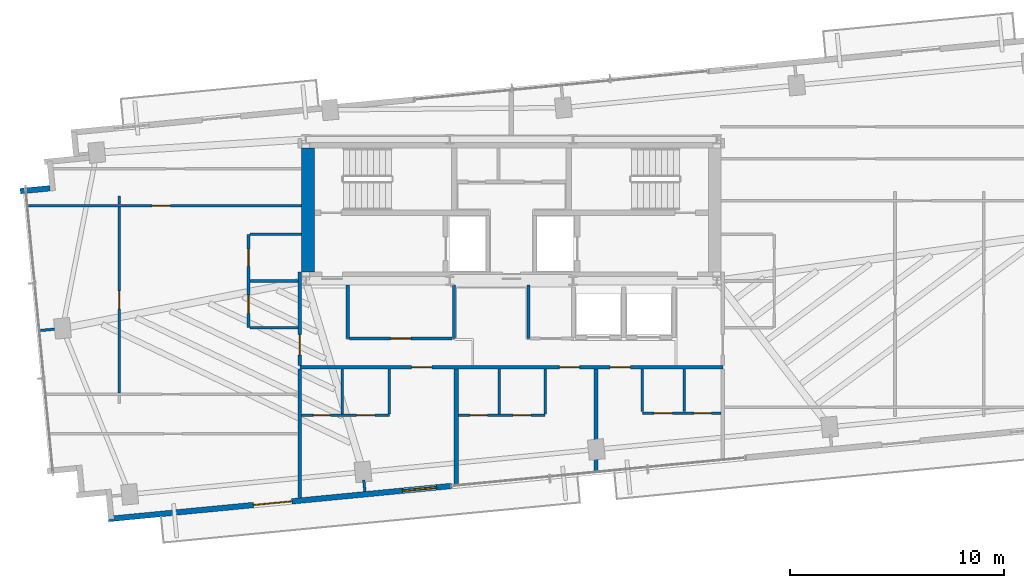
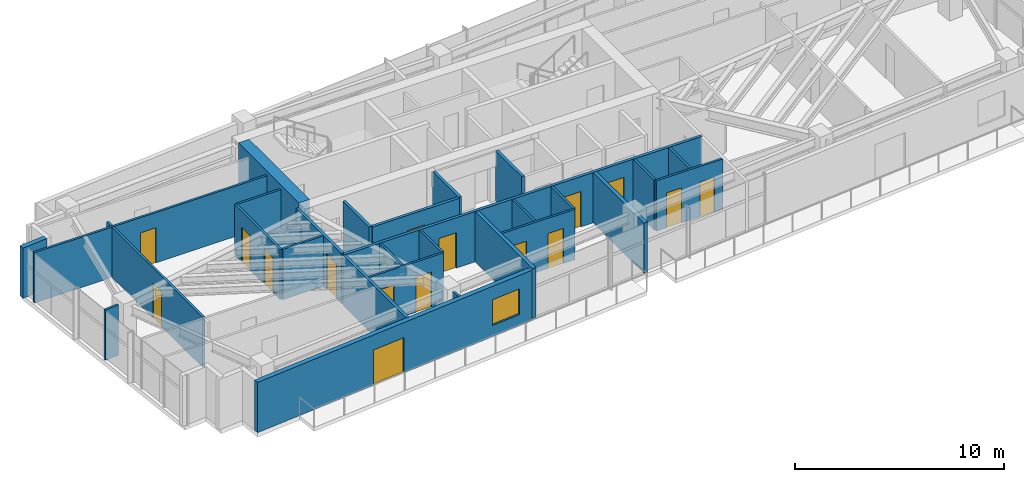
# One storey, part 13 of 18: 30 walls, 16 doors, 1 window, 17 openings.
"""IFC4 building model written with IfcOpenShell, lengths in metres."""

from ifc_helpers import new_model, si_unit, direction, frame, frame_2d, origin, place, context, subcontext, project, spatial, rectangle, extrude, source, transform, mapped, material, layer, layer_set, type_object, type_shapes, element, fill, save


model = new_model("IFC4")

# Units and contexts
model_context = context("Model", 3, precision=1e-05, world=origin(), true_north=direction((0.0, 1.0)))
body_context = subcontext(model_context, "Body", "Model", "MODEL_VIEW")
ifc_project = project(units=[si_unit("LENGTHUNIT", "METRE"), si_unit("AREAUNIT", "SQUARE_METRE"), si_unit("VOLUMEUNIT", "CUBIC_METRE"), si_unit("PLANEANGLEUNIT", "RADIAN"), si_unit("MASSUNIT", "GRAM", prefix="KILO")], contexts=[model_context])

# Site, building, storey
site_placement = place(None, origin())
site = spatial("IfcSite", under=ifc_project, at=site_placement, CompositionType="ELEMENT")
building_placement = place(site_placement, origin())
building = spatial("IfcBuilding", under=site, at=building_placement, Name="Astriad Promenade Condominiums", CompositionType="ELEMENT")
storey_placement = place(building_placement, frame((0.0, 0.0, 195.39990234375)))
storey = spatial("IfcBuildingStorey", under=building, at=storey_placement, Name="L56", CompositionType="ELEMENT", Elevation=195.39990234375)

# Wall
ifc_material_1 = material(Name="Concrete C50/60", Category="concrete")
ifc_layer_1 = layer(ifc_material_1, 0.60009765625)
ifc_layer_set_1 = layer_set([ifc_layer_1], Name="Concrete C50/60")
wall_type_1 = type_object("IfcWallType", Name="CW-SHEAR-600", PredefinedType="SHEAR", material=ifc_layer_set_1)
wall_1_placement = place(storey_placement, frame((26.5, 17.802001953125, 0.0), z_axis=(0.0, 0.0, 1.0), x_axis=(0.0, 1.0, 0.0)))
element("IfcWall", 1, at=wall_1_placement, inside=storey, type_object=wall_type_1, Name="CW-CORE-W-L56", PredefinedType="SHEAR", context=body_context, shape_type="SweptSolid", body=[
    extrude(rectangle(XDim=5.7958984375, YDim=0.60009765625, at=frame_2d((2.89794921875, 0.0))), origin(), (0.0, 0.0, 1.0), 3.2001953125),
])

# Wall, openings, doors
ifc_material_2 = material(Name="Fire-Rated Gypsum Partition")
ifc_layer_2 = layer(ifc_material_2, 0.159912109375)
ifc_layer_set_2 = layer_set([ifc_layer_2], Name="Fire-Rated Gypsum Partition")
wall_type_2 = type_object("IfcWallType", Name="WALL-CORR-160", PredefinedType="PARTITIONING", material=ifc_layer_set_2)
wall_2_placement = place(storey_placement, frame((26.1201171875, 13.360107421875, 0.0), z_axis=(0.0, 0.0, 1.0), x_axis=(1.0, 0.0, 0.0)))
wall_2 = element("IfcWall", 2, at=wall_2_placement, inside=storey, type_object=wall_type_2, Name="PT-COR-S-L56", PredefinedType="PARTITIONING", context=body_context, shape_type="SweptSolid", body=[
    extrude(rectangle(XDim=19.759765625, YDim=0.159912109375, at=frame_2d((9.8798828125, 0.0))), origin(), (0.0, 0.0, 1.0), 2.940185546875),
])
opening_1_placement = place(wall_2_placement, frame((5.220947265625, 0.0, 0.0)))
opening_1 = element("IfcOpeningElement", 3, at=opening_1_placement, cuts=wall_2, Name="Opening FD60-APT-095", PredefinedType="OPENING", context=body_context, shape_type="SweptSolid", body=[
    extrude(rectangle(XDim=0.949951171875, YDim=2.06005859375, at=frame_2d((0.47509765625, 1.030029296875))), frame((0.0, 0.08984375, 0.0), z_axis=(0.0, -1.0, 0.0), x_axis=(1.0, 0.0, 0.0)), (0.0, 0.0, 1.0), 0.179931640625),
])
opening_2_placement = place(wall_2_placement, frame((12.118896484375, 0.0, 0.0)))
opening_2 = element("IfcOpeningElement", 4, at=opening_2_placement, cuts=wall_2, Name="Opening FD60-APT-095", PredefinedType="OPENING", context=body_context, shape_type="SweptSolid", body=[
    extrude(rectangle(XDim=0.949951171875, YDim=2.06005859375, at=frame_2d((0.47509765625, 1.030029296875))), frame((0.0, 0.08984375, 0.0), z_axis=(0.0, -1.0, 0.0), x_axis=(1.0, 0.0, 0.0)), (0.0, 0.0, 1.0), 0.179931640625),
])
opening_3_placement = place(wall_2_placement, frame((14.491943359375, 0.0, 0.0)))
opening_3 = element("IfcOpeningElement", 5, at=opening_3_placement, cuts=wall_2, Name="Opening FD60-APT-095", PredefinedType="OPENING", context=body_context, shape_type="SweptSolid", body=[
    extrude(rectangle(XDim=0.949951171875, YDim=2.06005859375, at=frame_2d((0.47509765625, 1.030029296875))), frame((0.0, 0.08984375, 0.0), z_axis=(0.0, -1.0, 0.0), x_axis=(1.0, 0.0, 0.0)), (0.0, 0.0, 1.0), 0.179931640625),
])
ifc_material_3 = material(Name="Solid-Core Acoustic Timber Residence Entry Door", Category="wood")
door_type_1 = type_object("IfcDoorType", Name="FD60-APT-095", OperationType="NOTDEFINED", PredefinedType="DOOR", material=ifc_material_3)
shared_shape_1 = source(origin(), body_context, "Body", "SweptSolid", [
    extrude(rectangle(XDim=0.949951171875, YDim=2.06005859375, at=frame_2d((0.47509765625, 1.030029296875))), frame((0.0, 0.02490234375, 0.0), z_axis=(0.0, -1.0, 0.0), x_axis=(1.0, 0.0, 0.0)), (0.0, 0.0, 1.0), 0.050048828125),
])
type_shapes(door_type_1, [shared_shape_1])
door_1_placement = place(opening_1_placement, origin())
door_1 = element("IfcDoor", 6, at=door_1_placement, inside=storey, type_object=door_type_1, Name="D-ENT-L56-S1", OperationType="SINGLE_SWING_LEFT", OverallHeight=2.06005859375, OverallWidth=0.949951171875, PredefinedType="DOOR", context=body_context, shape_type="MappedRepresentation", body=[
    mapped(shared_shape_1, transform((0.0, 0.0, 0.0), scale=1.0)),
])
fill(opening_1, door_1)
door_2_placement = place(opening_2_placement, origin())
door_2 = element("IfcDoor", 7, at=door_2_placement, inside=storey, type_object=door_type_1, Name="D-ENT-L56-S2", OperationType="SINGLE_SWING_RIGHT", OverallHeight=2.06005859375, OverallWidth=0.949951171875, PredefinedType="DOOR", context=body_context, shape_type="MappedRepresentation", body=[
    mapped(shared_shape_1, transform((0.0, 0.0, 0.0), scale=1.0)),
])
fill(opening_2, door_2)
door_3_placement = place(opening_3_placement, origin())
door_3 = element("IfcDoor", 8, at=door_3_placement, inside=storey, type_object=door_type_1, Name="D-ENT-L56-S3", OperationType="SINGLE_SWING_LEFT", OverallHeight=2.06005859375, OverallWidth=0.949951171875, PredefinedType="DOOR", context=body_context, shape_type="MappedRepresentation", body=[
    mapped(shared_shape_1, transform((0.0, 0.0, 0.0), scale=1.0)),
])
fill(opening_3, door_3)

# Wall
wall_3_placement = place(storey_placement, frame((26.1201171875, 7.26123046875, 0.0), z_axis=(0.0, 0.0, 1.0), x_axis=(0.0, 1.0, 0.0)))
element("IfcWall", 9, at=wall_3_placement, inside=storey, type_object=wall_type_2, Name="PT-COR-W-L56", PredefinedType="PARTITIONING", context=body_context, shape_type="SweptSolid", body=[
    extrude(rectangle(XDim=6.016845703125, YDim=0.159912109375, at=frame_2d((3.00830078125, 0.0))), origin(), (0.0, 0.0, 1.0), 2.940185546875),
])

# Wall, opening, door
wall_4_placement = place(storey_placement, frame((26.1201171875, 13.44189453125, 0.0), z_axis=(0.0, 0.0, 1.0), x_axis=(0.0, 1.0, 0.0)))
wall_4 = element("IfcWall", 10, at=wall_4_placement, inside=storey, type_object=wall_type_2, Name="PT-COR-W-L56-S2", PredefinedType="PARTITIONING", context=body_context, shape_type="SweptSolid", body=[
    extrude(rectangle(XDim=4.360107421875, YDim=0.159912109375, at=frame_2d((2.18017578125, 0.0))), origin(), (0.0, 0.0, 1.0), 2.940185546875),
])
opening_4_placement = place(wall_4_placement, frame((0.492919921875, 0.0, 0.0)))
opening_4 = element("IfcOpeningElement", 11, at=opening_4_placement, cuts=wall_4, Name="Opening FD60-APT-095", PredefinedType="OPENING", context=body_context, shape_type="SweptSolid", body=[
    extrude(rectangle(XDim=0.949951171875, YDim=2.06005859375, at=frame_2d((0.47509765625, 1.030029296875))), frame((0.0, 0.08984375, 0.0), z_axis=(0.0, -1.0, 0.0), x_axis=(1.0, 0.0, 0.0)), (0.0, 0.0, 1.0), 0.179931640625),
])
door_4_placement = place(opening_4_placement, origin())
door_4 = element("IfcDoor", 12, at=door_4_placement, inside=storey, type_object=door_type_1, Name="D-ENT-L56-W1", OperationType="SINGLE_SWING_RIGHT", OverallHeight=2.06005859375, OverallWidth=0.949951171875, PredefinedType="DOOR", context=body_context, shape_type="MappedRepresentation", body=[
    mapped(shared_shape_1, transform((0.0, 0.0, 0.0), scale=1.0)),
])
fill(opening_4, door_4)

# Walls
for number, where, z_axis, x_axis, name in (
    (13, (28.360107421875, 14.699951171875, 0.0), (0.0, 0.0, 1.0), (0.0, 1.0, 0.0), "PT-Z3REC-W-L56"),
    (14, (33.320068359375, 14.699951171875, 0.0), (0.0, 0.0, 1.0), (0.0, 1.0, 0.0), "PT-Z3REC-E-L56"),
):
    element("IfcWall", number, at=place(storey_placement, frame(where, z_axis=z_axis, x_axis=x_axis)), inside=storey, type_object=wall_type_2, Name=name, PredefinedType="PARTITIONING", context=body_context, shape_type="SweptSolid", body=[
        extrude(rectangle(XDim=2.498046875, YDim=0.159912109375, at=frame_2d((1.2490234375, 0.0))), origin(), (0.0, 0.0, 1.0), 2.940185546875),
    ])

# Wall, opening, door
wall_5_placement = place(storey_placement, frame((28.44189453125, 14.699951171875, 0.0), z_axis=(0.0, 0.0, 1.0), x_axis=(1.0, 0.0, 0.0)))
wall_5 = element("IfcWall", 15, at=wall_5_placement, inside=storey, type_object=wall_type_2, Name="PT-Z3REC-S-L56", PredefinedType="PARTITIONING", context=body_context, shape_type="SweptSolid", body=[
    extrude(rectangle(XDim=4.796142578125, YDim=0.159912109375, at=frame_2d((2.39794921875, 0.0))), origin(), (0.0, 0.0, 1.0), 2.940185546875),
])
opening_5_placement = place(wall_5_placement, frame((1.923095703125, 0.0, 0.0)))
opening_5 = element("IfcOpeningElement", 16, at=opening_5_placement, cuts=wall_5, Name="Opening FD60-APT-095", PredefinedType="OPENING", context=body_context, shape_type="SweptSolid", body=[
    extrude(rectangle(XDim=0.949951171875, YDim=2.06005859375, at=frame_2d((0.47509765625, 1.030029296875))), frame((0.0, 0.08984375, 0.0), z_axis=(0.0, -1.0, 0.0), x_axis=(1.0, 0.0, 0.0)), (0.0, 0.0, 1.0), 0.179931640625),
])
door_5_placement = place(opening_5_placement, origin())
door_5 = element("IfcDoor", 17, at=door_5_placement, inside=storey, type_object=door_type_1, Name="D-Z3R-L56", OperationType="SINGLE_SWING_LEFT", OverallHeight=2.06005859375, OverallWidth=0.949951171875, PredefinedType="DOOR", context=body_context, shape_type="MappedRepresentation", body=[
    mapped(shared_shape_1, transform((0.0, 0.0, 0.0), scale=1.0)),
])
fill(opening_5, door_5)

# Walls
wall_6_placement = place(storey_placement, frame((36.800048828125, 14.699951171875, 0.0), z_axis=(0.0, 0.0, 1.0), x_axis=(0.0, 1.0, 0.0)))
element("IfcWall", 18, at=wall_6_placement, inside=storey, type_object=wall_type_2, Name="PT-Z3R2-W-L56", PredefinedType="PARTITIONING", context=body_context, shape_type="SweptSolid", body=[
    extrude(rectangle(XDim=2.498046875, YDim=0.159912109375, at=frame_2d((1.2490234375, 0.0))), origin(), (0.0, 0.0, 1.0), 2.940185546875),
])
ifc_material_4 = material(Name="Acoustic Double-Stud Gypsum Partition")
ifc_layer_3 = layer(ifc_material_4, 0.199951171875)
ifc_layer_set_3 = layer_set([ifc_layer_3], Name="Acoustic Double-Stud Gypsum Partition")
wall_type_3 = type_object("IfcWallType", Name="WALL-DEMISING-200", PredefinedType="PARTITIONING", material=ifc_layer_set_3)
wall_7_placement = place(storey_placement, frame((33.430908203125, 7.7822265625, 0.0), z_axis=(0.0, 0.0, 1.0), x_axis=(0.0, 1.0, 0.0)))
element("IfcWall", 19, at=wall_7_placement, inside=storey, type_object=wall_type_3, Name="PT-DEM-S1-L56", PredefinedType="PARTITIONING", context=body_context, shape_type="SweptSolid", body=[
    extrude(rectangle(XDim=5.495849609375, YDim=0.199951171875, at=frame_2d((2.748046875, 0.0))), origin(), (0.0, 0.0, 1.0), 2.940185546875),
])
wall_8_placement = place(storey_placement, frame((39.951904296875, 8.41015625, 0.0), z_axis=(0.0, 0.0, 1.0), x_axis=(0.0, 1.0, 0.0)))
element("IfcWall", 20, at=wall_8_placement, inside=storey, type_object=wall_type_3, Name="PT-DEM-S2-L56", PredefinedType="PARTITIONING", context=body_context, shape_type="SweptSolid", body=[
    extrude(rectangle(XDim=4.867919921875, YDim=0.199951171875, at=frame_2d((2.43408203125, 0.0))), origin(), (0.0, 0.0, 1.0), 2.940185546875),
])
ifc_material_5 = material(Name="Precast concrete C50/60", Category="concrete")
ifc_layer_4 = layer(ifc_material_5, 0.260009765625)
ifc_layer_set_4 = layer_set([ifc_layer_4], Name="Precast concrete C50/60")
wall_type_4 = type_object("IfcWallType", Name="WALL-EXT-TWR-260", PredefinedType="STANDARD", material=ifc_layer_set_4)
wall_9_placement = place(storey_placement, frame((13.058349609375, 21.583251953125, 0.0), z_axis=(0.0, 0.0, 1.0), x_axis=(0.99540774648, 0.095725744959, 0.0)))
element("IfcWall", 21, at=wall_9_placement, inside=storey, type_object=wall_type_4, Name="W-SER-L56-04", PredefinedType="STANDARD", context=body_context, shape_type="SweptSolid", body=[
    extrude(rectangle(XDim=1.39501953125, YDim=0.260009765625, at=frame_2d((0.697509765625, 0.0))), origin(), (0.0, 0.0, 1.0), 2.940185546875),
])

# Wall, openings, door, window
wall_10_placement = place(storey_placement, frame((33.201171875, 7.810302734375, 0.0), z_axis=(0.0, 0.0, 1.0), x_axis=(-0.995397074604, -0.095836652014, 0.0)))
wall_10 = element("IfcWall", 22, at=wall_10_placement, inside=storey, type_object=wall_type_4, Name="W-EXT-L56-S2", PredefinedType="STANDARD", context=body_context, shape_type="SweptSolid", body=[
    extrude(rectangle(XDim=16.10009765625, YDim=0.260009765625, at=frame_2d((8.050048828125, 0.0))), origin(), (0.0, 0.0, 1.0), 2.940185546875),
])
opening_6_placement = place(wall_10_placement, frame((7.489990234375, 0.0, 0.0)))
opening_6 = element("IfcOpeningElement", 23, at=opening_6_placement, cuts=wall_10, Name="Opening BD-1822-SLD", PredefinedType="OPENING", context=body_context, shape_type="SweptSolid", body=[
    extrude(rectangle(XDim=1.800048828125, YDim=2.06005859375, at=frame_2d((0.89990234375, 1.030029296875))), frame((0.0, 0.139892578125, 0.0), z_axis=(0.0, -1.0, 0.0), x_axis=(1.0, 0.0, 0.0)), (0.0, 0.0, 1.0), 0.280029296875),
])
opening_7_placement = place(wall_10_placement, frame((0.699951171875, 0.0, 0.64990234375)))
opening_7 = element("IfcOpeningElement", 24, at=opening_7_placement, cuts=wall_10, Name="Opening WIN-TWR-1620", PredefinedType="OPENING", context=body_context, shape_type="SweptSolid", body=[
    extrude(rectangle(XDim=1.60009765625, YDim=1.5, at=frame_2d((0.800048828125, 0.75))), frame((0.0, 0.139892578125, 0.0), z_axis=(0.0, -1.0, 0.0), x_axis=(1.0, 0.0, 0.0)), (0.0, 0.0, 1.0), 0.280029296875),
])
ifc_material_6 = material(Name="Thermally Broken Aluminium Sliding Balcony Door", Category="aluminium")
door_type_2 = type_object("IfcDoorType", Name="BD-1822-SLD", OperationType="NOTDEFINED", PredefinedType="DOOR", material=ifc_material_6)
shared_shape_2 = source(origin(), body_context, "Body", "SweptSolid", [
    extrude(rectangle(XDim=1.800048828125, YDim=2.06005859375, at=frame_2d((0.89990234375, 1.030029296875))), frame((0.0, 0.02490234375, 0.0), z_axis=(0.0, -1.0, 0.0), x_axis=(1.0, 0.0, 0.0)), (0.0, 0.0, 1.0), 0.050048828125),
])
type_shapes(door_type_2, [shared_shape_2])
door_6_placement = place(opening_6_placement, origin())
door_6 = element("IfcDoor", 25, at=door_6_placement, inside=storey, type_object=door_type_2, Name="BD-L56-SW", OperationType="SLIDING_TO_LEFT", OverallHeight=2.06005859375, OverallWidth=1.800048828125, PredefinedType="DOOR", context=body_context, shape_type="MappedRepresentation", body=[
    mapped(shared_shape_2, transform((0.0, 0.0, 0.0), scale=1.0)),
])
fill(opening_6, door_6)
ifc_material_7 = material(Name="Dark Tinted Triple-Glazed Aluminium Window", Category="aluminium")
window_type = type_object("IfcWindowType", Name="WIN-TWR-1620", PartitioningType="SINGLE_PANEL", PredefinedType="WINDOW", material=ifc_material_7)
shared_shape_3 = source(origin(), body_context, "Body", "SweptSolid", [
    extrude(rectangle(XDim=1.60009765625, YDim=1.5, at=frame_2d((0.800048828125, 0.75))), frame((0.0, 0.030029296875, 0.0), z_axis=(0.0, -1.0, 0.0), x_axis=(1.0, 0.0, 0.0)), (0.0, 0.0, 1.0), 0.06005859375),
])
type_shapes(window_type, [shared_shape_3])
window_placement = place(opening_7_placement, origin())
window = element("IfcWindow", 26, at=window_placement, inside=storey, type_object=window_type, Name="WIN-L56-SW", OverallHeight=1.5, OverallWidth=1.60009765625, PartitioningType="SINGLE_PANEL", PredefinedType="WINDOW", context=body_context, shape_type="MappedRepresentation", body=[
    mapped(shared_shape_3, transform((0.0, 0.0, 0.0), scale=1.0)),
])
fill(opening_7, window)

# Wall, openings, doors
ifc_material_8 = material(Name="Acoustic Metal-Stud Gypsum Partition")
ifc_layer_5 = layer(ifc_material_8, 0.1201171875)
ifc_layer_set_5 = layer_set([ifc_layer_5], Name="Acoustic Metal-Stud Gypsum Partition")
wall_type_5 = type_object("IfcWallType", Name="WALL-PART-120", PredefinedType="PARTITIONING", material=ifc_layer_set_5)
wall_11_placement = place(storey_placement, frame((26.201904296875, 11.110107421875, 0.0), z_axis=(0.0, 0.0, 1.0), x_axis=(1.0, 0.0, 0.0)))
wall_11 = element("IfcWall", 27, at=wall_11_placement, inside=storey, type_object=wall_type_5, Name="PT-L56-S1-PS", PredefinedType="PARTITIONING", context=body_context, shape_type="SweptSolid", body=[
    extrude(rectangle(XDim=4.09814453125, YDim=0.1201171875, at=frame_2d((2.049072265625, 0.0))), origin(), (0.0, 0.0, 1.0), 2.940185546875),
])
opening_8_placement = place(wall_11_placement, frame((0.548095703125, 0.0, 0.0)))
opening_8 = element("IfcOpeningElement", 28, at=opening_8_placement, cuts=wall_11, Name="Opening D-WET-080", PredefinedType="OPENING", context=body_context, shape_type="SweptSolid", body=[
    extrude(rectangle(XDim=0.800048828125, YDim=2.02001953125, at=frame_2d((0.39990234375, 1.010009765625))), frame((0.0, 0.070068359375, 0.0), z_axis=(0.0, -1.0, 0.0), x_axis=(1.0, 0.0, 0.0)), (0.0, 0.0, 1.0), 0.14013671875),
])
opening_9_placement = place(wall_11_placement, frame((2.572998046875, 0.0, 0.0)))
opening_9 = element("IfcOpeningElement", 29, at=opening_9_placement, cuts=wall_11, Name="Opening D-INT-085", PredefinedType="OPENING", context=body_context, shape_type="SweptSolid", body=[
    extrude(rectangle(XDim=0.85009765625, YDim=2.050048828125, at=frame_2d((0.425048828125, 1.02490234375))), frame((0.0, 0.070068359375, 0.0), z_axis=(0.0, -1.0, 0.0), x_axis=(1.0, 0.0, 0.0)), (0.0, 0.0, 1.0), 0.14013671875),
])
ifc_material_9 = material(Name="Moisture-Resistant Timber Bathroom Door", Category="wood")
door_type_3 = type_object("IfcDoorType", Name="D-WET-080", OperationType="NOTDEFINED", PredefinedType="DOOR", material=ifc_material_9)
shared_shape_4 = source(origin(), body_context, "Body", "SweptSolid", [
    extrude(rectangle(XDim=0.800048828125, YDim=2.02001953125, at=frame_2d((0.39990234375, 1.010009765625))), frame((0.0, 0.02490234375, 0.0), z_axis=(0.0, -1.0, 0.0), x_axis=(1.0, 0.0, 0.0)), (0.0, 0.0, 1.0), 0.050048828125),
])
type_shapes(door_type_3, [shared_shape_4])
door_7_placement = place(opening_8_placement, origin())
door_7 = element("IfcDoor", 30, at=door_7_placement, inside=storey, type_object=door_type_3, Name="D-BTH-L56-S1", OperationType="SINGLE_SWING_RIGHT", OverallHeight=2.02001953125, OverallWidth=0.800048828125, PredefinedType="DOOR", context=body_context, shape_type="MappedRepresentation", body=[
    mapped(shared_shape_4, transform((0.0, 0.0, 0.0), scale=1.0)),
])
fill(opening_8, door_7)
ifc_material_10 = material(Name="Painted Solid-Core Timber Room Door", Category="wood")
door_type_4 = type_object("IfcDoorType", Name="D-INT-085", OperationType="NOTDEFINED", PredefinedType="DOOR", material=ifc_material_10)
shared_shape_5 = source(origin(), body_context, "Body", "SweptSolid", [
    extrude(rectangle(XDim=0.85009765625, YDim=2.050048828125, at=frame_2d((0.425048828125, 1.02490234375))), frame((0.0, 0.02490234375, 0.0), z_axis=(0.0, -1.0, 0.0), x_axis=(1.0, 0.0, 0.0)), (0.0, 0.0, 1.0), 0.050048828125),
])
type_shapes(door_type_4, [shared_shape_5])
door_8_placement = place(opening_9_placement, origin())
door_8 = element("IfcDoor", 31, at=door_8_placement, inside=storey, type_object=door_type_4, Name="D-KIT-L56-S1", OperationType="SINGLE_SWING_LEFT", OverallHeight=2.050048828125, OverallWidth=0.85009765625, PredefinedType="DOOR", context=body_context, shape_type="MappedRepresentation", body=[
    mapped(shared_shape_5, transform((0.0, 0.0, 0.0), scale=1.0)),
])
fill(opening_9, door_8)

# Walls
for number, where, z_axis, x_axis, name in (
    (32, (30.300048828125, 11.172119140625, 0.0), (0.0, 0.0, 1.0), (0.0, 1.0, 0.0), "PT-L56-S1-PK"),
    (33, (28.10009765625, 11.172119140625, 0.0), (0.0, 0.0, 1.0), (0.0, 1.0, 0.0), "PT-L56-S1-PB"),
):
    element("IfcWall", number, at=place(storey_placement, frame(where, z_axis=z_axis, x_axis=x_axis)), inside=storey, type_object=wall_type_5, Name=name, PredefinedType="PARTITIONING", context=body_context, shape_type="SweptSolid", body=[
        extrude(rectangle(XDim=2.10595703125, YDim=0.1201171875, at=frame_2d((1.052978515625, 0.0))), origin(), (0.0, 0.0, 1.0), 2.940185546875),
    ])

# Wall, openings, doors
wall_12_placement = place(storey_placement, frame((33.532958984375, 11.110107421875, 0.0), z_axis=(0.0, 0.0, 1.0), x_axis=(1.0, 0.0, 0.0)))
wall_12 = element("IfcWall", 34, at=wall_12_placement, inside=storey, type_object=wall_type_5, Name="PT-L56-S2-PS", PredefinedType="PARTITIONING", context=body_context, shape_type="SweptSolid", body=[
    extrude(rectangle(XDim=4.04296875, YDim=0.1201171875, at=frame_2d((2.021484375, 0.0))), origin(), (0.0, 0.0, 1.0), 2.940185546875),
])
opening_10_placement = place(wall_12_placement, frame((0.5458984375, 0.0, 0.0)))
opening_10 = element("IfcOpeningElement", 35, at=opening_10_placement, cuts=wall_12, Name="Opening D-WET-080", PredefinedType="OPENING", context=body_context, shape_type="SweptSolid", body=[
    extrude(rectangle(XDim=0.800048828125, YDim=2.02001953125, at=frame_2d((0.39990234375, 1.010009765625))), frame((0.0, 0.070068359375, 0.0), z_axis=(0.0, -1.0, 0.0), x_axis=(1.0, 0.0, 0.0)), (0.0, 0.0, 1.0), 0.14013671875),
])
opening_11_placement = place(wall_12_placement, frame((2.5439453125, 0.0, 0.0)))
opening_11 = element("IfcOpeningElement", 36, at=opening_11_placement, cuts=wall_12, Name="Opening D-INT-085", PredefinedType="OPENING", context=body_context, shape_type="SweptSolid", body=[
    extrude(rectangle(XDim=0.85009765625, YDim=2.050048828125, at=frame_2d((0.425048828125, 1.02490234375))), frame((0.0, 0.070068359375, 0.0), z_axis=(0.0, -1.0, 0.0), x_axis=(1.0, 0.0, 0.0)), (0.0, 0.0, 1.0), 0.14013671875),
])
door_9_placement = place(opening_10_placement, origin())
door_9 = element("IfcDoor", 37, at=door_9_placement, inside=storey, type_object=door_type_3, Name="D-BTH-L56-S2", OperationType="SINGLE_SWING_LEFT", OverallHeight=2.02001953125, OverallWidth=0.800048828125, PredefinedType="DOOR", context=body_context, shape_type="MappedRepresentation", body=[
    mapped(shared_shape_4, transform((0.0, 0.0, 0.0), scale=1.0)),
])
fill(opening_10, door_9)
door_10_placement = place(opening_11_placement, origin())
door_10 = element("IfcDoor", 38, at=door_10_placement, inside=storey, type_object=door_type_4, Name="D-KIT-L56-S2", OperationType="SINGLE_SWING_RIGHT", OverallHeight=2.050048828125, OverallWidth=0.85009765625, PredefinedType="DOOR", context=body_context, shape_type="MappedRepresentation", body=[
    mapped(shared_shape_5, transform((0.0, 0.0, 0.0), scale=1.0)),
])
fill(opening_11, door_10)

# Walls
for number, where, z_axis, x_axis, name in (
    (39, (37.575927734375, 11.172119140625, 0.0), (0.0, 0.0, 1.0), (0.0, 1.0, 0.0), "PT-L56-S2-PK"),
    (40, (35.427001953125, 11.172119140625, 0.0), (0.0, 0.0, 1.0), (0.0, 1.0, 0.0), "PT-L56-S2-PB"),
):
    element("IfcWall", number, at=place(storey_placement, frame(where, z_axis=z_axis, x_axis=x_axis)), inside=storey, type_object=wall_type_5, Name=name, PredefinedType="PARTITIONING", context=body_context, shape_type="SweptSolid", body=[
        extrude(rectangle(XDim=2.10595703125, YDim=0.1201171875, at=frame_2d((1.052978515625, 0.0))), origin(), (0.0, 0.0, 1.0), 2.940185546875),
    ])

# Wall, openings, doors
wall_13_placement = place(storey_placement, frame((42.1220703125, 11.217041015625, 0.0), z_axis=(0.0, 0.0, 1.0), x_axis=(1.0, 0.0, 0.0)))
wall_13 = element("IfcWall", 41, at=wall_13_placement, inside=storey, type_object=wall_type_5, Name="PT-L56-S3-PS", PredefinedType="PARTITIONING", context=body_context, shape_type="SweptSolid", body=[
    extrude(rectangle(XDim=3.676025390625, YDim=0.1201171875, at=frame_2d((1.837890625, 0.0))), origin(), (0.0, 0.0, 1.0), 2.940185546875),
])
opening_12_placement = place(wall_13_placement, frame((0.552001953125, 0.0, 0.0)))
opening_12 = element("IfcOpeningElement", 42, at=opening_12_placement, cuts=wall_13, Name="Opening D-INT-085", PredefinedType="OPENING", context=body_context, shape_type="SweptSolid", body=[
    extrude(rectangle(XDim=0.85009765625, YDim=2.050048828125, at=frame_2d((0.425048828125, 1.02490234375))), frame((0.0, 0.070068359375, 0.0), z_axis=(0.0, -1.0, 0.0), x_axis=(1.0, 0.0, 0.0)), (0.0, 0.0, 1.0), 0.14013671875),
])
opening_13_placement = place(wall_13_placement, frame((2.416015625, 0.0, 0.0)))
opening_13 = element("IfcOpeningElement", 43, at=opening_13_placement, cuts=wall_13, Name="Opening D-WET-080", PredefinedType="OPENING", context=body_context, shape_type="SweptSolid", body=[
    extrude(rectangle(XDim=0.800048828125, YDim=2.02001953125, at=frame_2d((0.39990234375, 1.010009765625))), frame((0.0, 0.070068359375, 0.0), z_axis=(0.0, -1.0, 0.0), x_axis=(1.0, 0.0, 0.0)), (0.0, 0.0, 1.0), 0.14013671875),
])
door_11_placement = place(opening_13_placement, origin())
door_11 = element("IfcDoor", 44, at=door_11_placement, inside=storey, type_object=door_type_3, Name="D-BTH-L56-S3", OperationType="SINGLE_SWING_LEFT", OverallHeight=2.02001953125, OverallWidth=0.800048828125, PredefinedType="DOOR", context=body_context, shape_type="MappedRepresentation", body=[
    mapped(shared_shape_4, transform((0.0, 0.0, 0.0), scale=1.0)),
])
fill(opening_13, door_11)
door_12_placement = place(opening_12_placement, origin())
door_12 = element("IfcDoor", 45, at=door_12_placement, inside=storey, type_object=door_type_4, Name="D-KIT-L56-S3", OperationType="SINGLE_SWING_RIGHT", OverallHeight=2.050048828125, OverallWidth=0.85009765625, PredefinedType="DOOR", context=body_context, shape_type="MappedRepresentation", body=[
    mapped(shared_shape_5, transform((0.0, 0.0, 0.0), scale=1.0)),
])
fill(opening_12, door_12)

# Walls
for number, where, z_axis, x_axis, name in (
    (46, (42.1220703125, 11.279052734375, 0.0), (0.0, 0.0, 1.0), (0.0, 1.0, 0.0), "PT-L56-S3-PK"),
    (47, (44.075927734375, 11.279052734375, 0.0), (0.0, 0.0, 1.0), (0.0, 1.0, 0.0), "PT-L56-S3-PB"),
):
    element("IfcWall", number, at=place(storey_placement, frame(where, z_axis=z_axis, x_axis=x_axis)), inside=storey, type_object=wall_type_5, Name=name, PredefinedType="PARTITIONING", context=body_context, shape_type="SweptSolid", body=[
        extrude(rectangle(XDim=1.9990234375, YDim=0.1201171875, at=frame_2d((0.99951171875, 0.0))), origin(), (0.0, 0.0, 1.0), 2.940185546875),
    ])

# Wall, openings, doors
wall_14_placement = place(storey_placement, frame((23.719970703125, 15.2099609375, 0.0), z_axis=(0.0, 0.0, 1.0), x_axis=(0.0, 1.0, 0.0)))
wall_14 = element("IfcWall", 48, at=wall_14_placement, inside=storey, type_object=wall_type_5, Name="PT-L56-W1-PV", PredefinedType="PARTITIONING", context=body_context, shape_type="SweptSolid", body=[
    extrude(rectangle(XDim=4.35009765625, YDim=0.1201171875, at=frame_2d((2.175048828125, 0.0))), origin(), (0.0, 0.0, 1.0), 2.940185546875),
])
opening_14_placement = place(wall_14_placement, frame((0.662109375, 0.0, 0.0)))
opening_14 = element("IfcOpeningElement", 49, at=opening_14_placement, cuts=wall_14, Name="Opening D-INT-085", PredefinedType="OPENING", context=body_context, shape_type="SweptSolid", body=[
    extrude(rectangle(XDim=0.85009765625, YDim=2.050048828125, at=frame_2d((0.425048828125, 1.02490234375))), frame((0.0, 0.070068359375, 0.0), z_axis=(0.0, -1.0, 0.0), x_axis=(1.0, 0.0, 0.0)), (0.0, 0.0, 1.0), 0.14013671875),
])
opening_15_placement = place(wall_14_placement, frame((2.863037109375, 0.0, 0.0)))
opening_15 = element("IfcOpeningElement", 50, at=opening_15_placement, cuts=wall_14, Name="Opening D-WET-080", PredefinedType="OPENING", context=body_context, shape_type="SweptSolid", body=[
    extrude(rectangle(XDim=0.800048828125, YDim=2.02001953125, at=frame_2d((0.39990234375, 1.010009765625))), frame((0.0, 0.070068359375, 0.0), z_axis=(0.0, -1.0, 0.0), x_axis=(1.0, 0.0, 0.0)), (0.0, 0.0, 1.0), 0.14013671875),
])
door_13_placement = place(opening_15_placement, origin())
door_13 = element("IfcDoor", 51, at=door_13_placement, inside=storey, type_object=door_type_3, Name="D-BTH-L56-W1", OperationType="SINGLE_SWING_RIGHT", OverallHeight=2.02001953125, OverallWidth=0.800048828125, PredefinedType="DOOR", context=body_context, shape_type="MappedRepresentation", body=[
    mapped(shared_shape_4, transform((0.0, 0.0, 0.0), scale=1.0)),
])
fill(opening_15, door_13)
door_14_placement = place(opening_14_placement, origin())
door_14 = element("IfcDoor", 52, at=door_14_placement, inside=storey, type_object=door_type_4, Name="D-KIT-L56-W1", OperationType="SINGLE_SWING_LEFT", OverallHeight=2.050048828125, OverallWidth=0.85009765625, PredefinedType="DOOR", context=body_context, shape_type="MappedRepresentation", body=[
    mapped(shared_shape_5, transform((0.0, 0.0, 0.0), scale=1.0)),
])
fill(opening_14, door_14)

# Walls
wall_15_placement = place(storey_placement, frame((23.781982421875, 17.385009765625, 0.0), z_axis=(0.0, 0.0, 1.0), x_axis=(1.0, 0.0, 0.0)))
element("IfcWall", 53, at=wall_15_placement, inside=storey, type_object=wall_type_5, Name="PT-L56-W1-PM", PredefinedType="PARTITIONING", context=body_context, shape_type="SweptSolid", body=[
    extrude(rectangle(XDim=2.256103515625, YDim=0.1201171875, at=frame_2d((1.1279296875, 0.0))), origin(), (0.0, 0.0, 1.0), 2.281494140625),
])
wall_16_placement = place(storey_placement, frame((23.781982421875, 15.2099609375, 0.0), z_axis=(0.0, 0.0, 1.0), x_axis=(1.0, 0.0, 0.0)))
element("IfcWall", 54, at=wall_16_placement, inside=storey, type_object=wall_type_5, Name="PT-L56-W1-PS", PredefinedType="PARTITIONING", context=body_context, shape_type="SweptSolid", body=[
    extrude(rectangle(XDim=2.256103515625, YDim=0.1201171875, at=frame_2d((1.1279296875, 0.0))), origin(), (0.0, 0.0, 1.0), 2.940185546875),
])
wall_17_placement = place(storey_placement, frame((23.781982421875, 19.56005859375, 0.0), z_axis=(0.0, 0.0, 1.0), x_axis=(1.0, 0.0, 0.0)))
element("IfcWall", 55, at=wall_17_placement, inside=storey, type_object=wall_type_5, Name="PT-L56-W1-PN", PredefinedType="PARTITIONING", context=body_context, shape_type="SweptSolid", body=[
    extrude(rectangle(XDim=2.416015625, YDim=0.1201171875, at=frame_2d((1.2080078125, 0.0))), origin(), (0.0, 0.0, 1.0), 2.940185546875),
])

# Wall, opening, door
wall_18_placement = place(storey_placement, frame((13.333984375, 20.910888671875, 0.0), z_axis=(0.0, 0.0, 1.0), x_axis=(1.0, 0.0, 0.0)))
wall_18 = element("IfcWall", 56, at=wall_18_placement, inside=storey, type_object=wall_type_5, Name="PT-L56-W1-WDN4", PredefinedType="PARTITIONING", context=body_context, shape_type="SweptSolid", body=[
    extrude(rectangle(XDim=12.864013671875, YDim=0.1201171875, at=frame_2d((6.43212890625, 0.0))), origin(), (0.0, 0.0, 1.0), 2.940185546875),
])
opening_16_placement = place(wall_18_placement, frame((5.881103515625, 0.0, 0.0)))
opening_16 = element("IfcOpeningElement", 57, at=opening_16_placement, cuts=wall_18, Name="Opening D-INT-085", PredefinedType="OPENING", context=body_context, shape_type="SweptSolid", body=[
    extrude(rectangle(XDim=0.85009765625, YDim=2.050048828125, at=frame_2d((0.425048828125, 1.02490234375))), frame((0.0, 0.070068359375, 0.0), z_axis=(0.0, -1.0, 0.0), x_axis=(1.0, 0.0, 0.0)), (0.0, 0.0, 1.0), 0.14013671875),
])
door_15_placement = place(opening_16_placement, origin())
door_15 = element("IfcDoor", 58, at=door_15_placement, inside=storey, type_object=door_type_4, Name="D-WDN4-L56-W1", OperationType="SINGLE_SWING_RIGHT", OverallHeight=2.050048828125, OverallWidth=0.85009765625, PredefinedType="DOOR", context=body_context, shape_type="MappedRepresentation", body=[
    mapped(shared_shape_5, transform((0.0, 0.0, 0.0), scale=1.0)),
])
fill(opening_16, door_15)

wall_19_placement = place(storey_placement, frame((17.68798828125, 12.159912109375, 0.0), z_axis=(0.0, 0.0, 1.0), x_axis=(0.0, 1.0, 0.0)))
wall_19 = element("IfcWall", 59, at=wall_19_placement, inside=storey, type_object=wall_type_5, Name="PT-L56-W1-WDV5-S2", PredefinedType="PARTITIONING", context=body_context, shape_type="SweptSolid", body=[
    extrude(rectangle(XDim=8.689208984375, YDim=0.1201171875, at=frame_2d((4.3447265625, 0.0))), origin(), (0.0, 0.0, 1.0), 2.940185546875),
])
opening_17_placement = place(wall_19_placement, frame((3.919921875, 0.0, 0.0)))
opening_17 = element("IfcOpeningElement", 60, at=opening_17_placement, cuts=wall_19, Name="Opening D-INT-085", PredefinedType="OPENING", context=body_context, shape_type="SweptSolid", body=[
    extrude(rectangle(XDim=0.85009765625, YDim=2.050048828125, at=frame_2d((0.425048828125, 1.02490234375))), frame((0.0, 0.070068359375, 0.0), z_axis=(0.0, -1.0, 0.0), x_axis=(1.0, 0.0, 0.0)), (0.0, 0.0, 1.0), 0.14013671875),
])
door_16_placement = place(opening_17_placement, origin())
door_16 = element("IfcDoor", 61, at=door_16_placement, inside=storey, type_object=door_type_4, Name="D-WDV5-L56-W1", OperationType="SINGLE_SWING_LEFT", OverallHeight=2.050048828125, OverallWidth=0.85009765625, PredefinedType="DOOR", context=body_context, shape_type="MappedRepresentation", body=[
    mapped(shared_shape_5, transform((0.0, 0.0, 0.0), scale=1.0)),
])
fill(opening_17, door_16)

# Walls
wall_20_placement = place(storey_placement, frame((17.68798828125, 20.972900390625, 0.0), z_axis=(0.0, 0.0, 1.0), x_axis=(0.0, 1.0, 0.0)))
element("IfcWall", 62, at=wall_20_placement, inside=storey, type_object=wall_type_5, Name="PT-L56-W1-WDV5-S3", PredefinedType="PARTITIONING", context=body_context, shape_type="SweptSolid", body=[
    extrude(rectangle(XDim=0.378173828125, YDim=0.1201171875, at=frame_2d((0.18896484375, 0.0))), origin(), (0.0, 0.0, 1.0), 2.940185546875),
])
wall_21_placement = place(storey_placement, frame((29.10546875, 8.089111328125, 0.0), z_axis=(0.0, 0.0, 1.0), x_axis=(0.095772948675, -0.995403205893, 0.0)))
element("IfcWall", 63, at=wall_21_placement, inside=storey, type_object=wall_type_5, Name="PT-PIL-L56-PC02-9", PredefinedType="PARTITIONING", context=body_context, shape_type="SweptSolid", body=[
    extrude(rectangle(XDim=0.537841796875, YDim=0.1201171875, at=frame_2d((0.26904296875, 0.0))), origin(), (0.0, 0.0, 1.0), 2.940185546875),
])
wall_22_placement = place(storey_placement, frame((14.653564453125, 15.136474609375, 0.0), z_axis=(0.0, 0.0, 1.0), x_axis=(-0.995408440582, -0.095718527039, 0.0)))
element("IfcWall", 64, at=wall_22_placement, inside=storey, type_object=wall_type_5, Name="PT-PIL-L56-PC11-18", PredefinedType="PARTITIONING", context=body_context, shape_type="SweptSolid", body=[
    extrude(rectangle(XDim=0.760009765625, YDim=0.1201171875, at=frame_2d((0.3798828125, 0.0))), origin(), (0.0, 0.0, 1.0), 2.940185546875),
])

save(model, "model.ifc")
